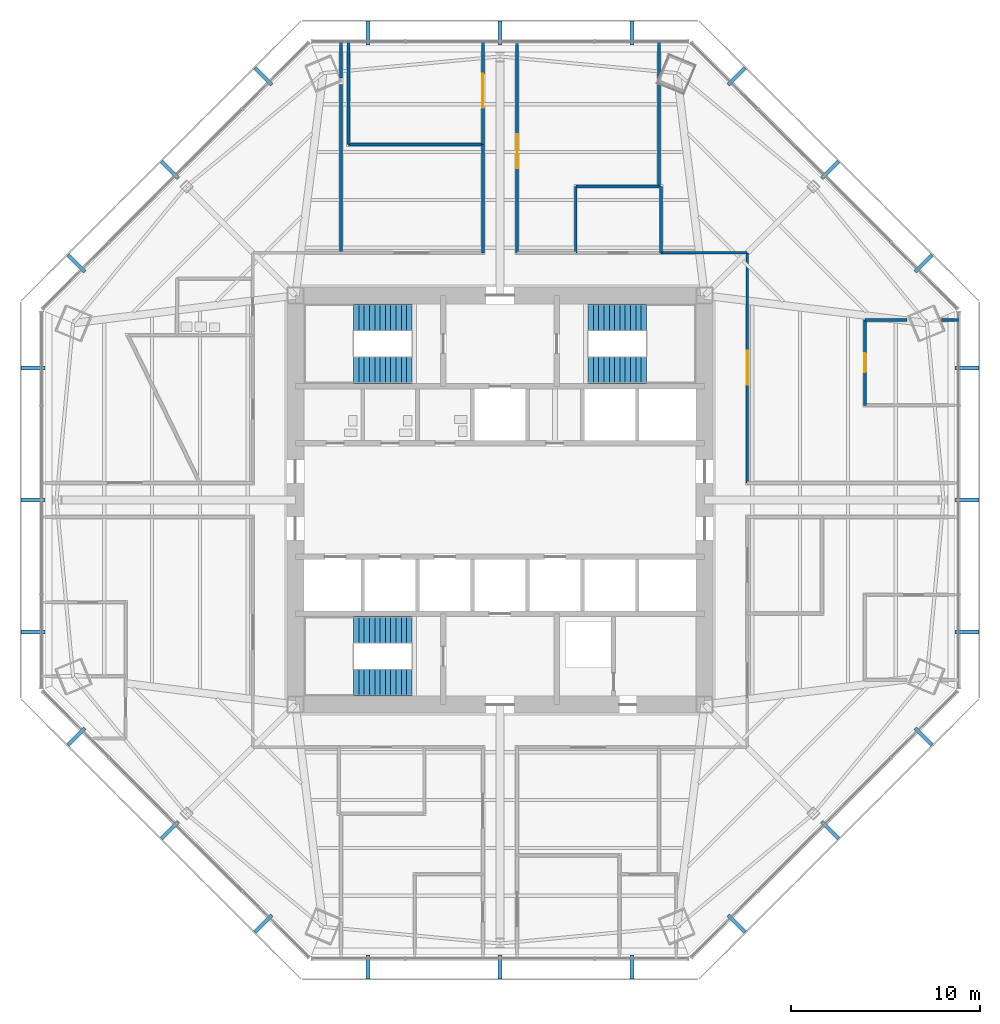
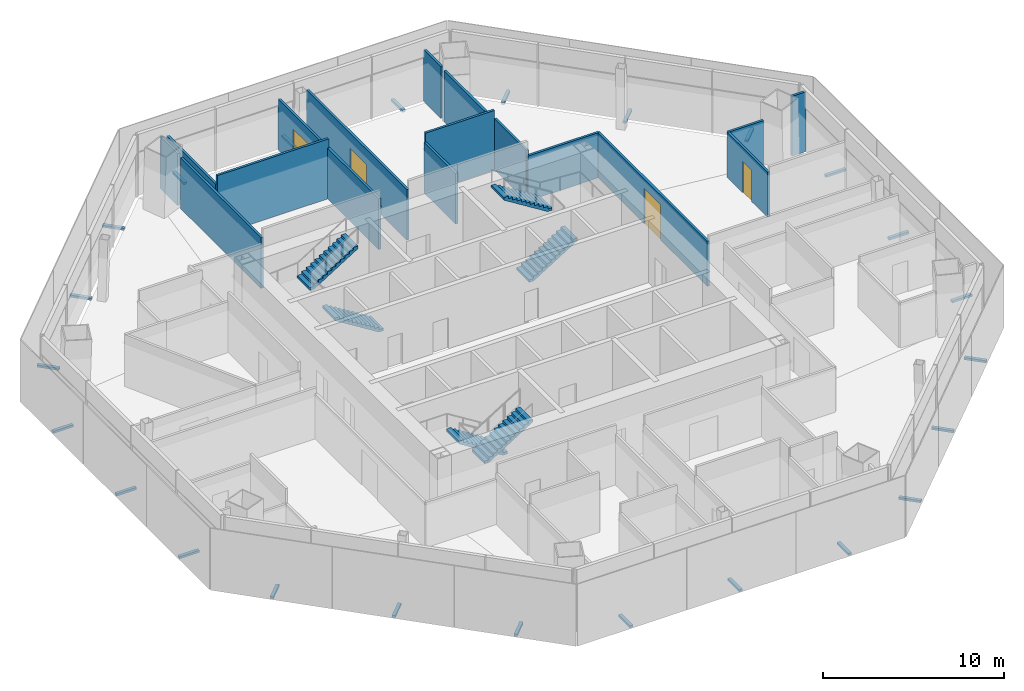
# One storey, part 11 of 14: 24 discrete accessories, 17 walls, 6 stair flights, 4 doors, 4 openings, 3 elements without a shape of their own.
"""IFC4 building model written with IfcOpenShell, lengths in metres."""

from ifc_helpers import new_model, si_unit, direction, frame, frame_2d, origin, origin_2d, place, context, subcontext, project, spatial, polyline, rectangle, outline, extrude, source, transform, mapped, material, layer, layer_set, type_object, type_shapes, element, fill, aggregate, save


model = new_model("IFC4")

# Units and contexts
model_context = context("Model", 3, precision=1e-05, world=origin(), true_north=direction((0.0, 1.0)))
body_context = subcontext(model_context, "Body", "Model", "MODEL_VIEW")
ifc_project = project(units=[si_unit("LENGTHUNIT", "METRE"), si_unit("AREAUNIT", "SQUARE_METRE"), si_unit("VOLUMEUNIT", "CUBIC_METRE"), si_unit("PLANEANGLEUNIT", "RADIAN"), si_unit("MASSUNIT", "GRAM", prefix="KILO")], contexts=[model_context])

# Site, building, storey
site_placement = place(None, origin())
site = spatial("IfcSite", under=ifc_project, at=site_placement, CompositionType="ELEMENT")
building_placement = place(site_placement, origin())
building = spatial("IfcBuilding", under=site, at=building_placement, Name="Mashrafa Tower", CompositionType="ELEMENT")
storey_placement = place(building_placement, frame((0.0, 0.0, 134.39990234375)))
storey = spatial("IfcBuildingStorey", under=building, at=storey_placement, Name="L30", CompositionType="ELEMENT", Elevation=134.39990234375)

# Wall, opening, door
ifc_material_1 = material(Name="Gypsum board on steel studs", Category="steel")
ifc_layer_1 = layer(ifc_material_1, 0.14990234375)
ifc_layer_set_1 = layer_set([ifc_layer_1], Name="Corridor partition 150 1 hr")
wall_type_1 = type_object("IfcWallType", Name="Corridor partition 150 1 hr", PredefinedType="PARTITIONING", material=ifc_layer_set_1)
wall_1_placement = place(storey_placement, frame((-0.89990234375, 24.19677734375, 0.0), z_axis=(0.0, 0.0, 1.0), x_axis=(0.0, -1.0, 0.0)))
wall_1 = element("IfcWall", 1, at=wall_1_placement, inside=storey, type_object=wall_type_1, Name="Corridor wall L30-004", PredefinedType="PARTITIONING", context=body_context, shape_type="SweptSolid", body=[
    extrude(rectangle(XDim=5.43505859375, YDim=0.14990234375, at=frame_2d((2.717529296875, 0.0))), origin(), (0.0, 0.0, 1.0), 3.42578125),
])
opening_1_placement = place(wall_1_placement, frame((1.699462890625, 0.0, 0.0)))
opening_1 = element("IfcOpeningElement", 2, at=opening_1_placement, cuts=wall_1, Name="Opening 30.003", PredefinedType="OPENING", context=body_context, shape_type="SweptSolid", body=[
    extrude(rectangle(XDim=1.800048828125, YDim=2.39990234375, at=frame_2d((0.89990234375, 1.199951171875))), frame((0.0, 0.0849609375, 0.0), z_axis=(0.0, -1.0, 0.0), x_axis=(1.0, 0.0, 0.0)), (0.0, 0.0, 1.0), 0.169921875),
])
ifc_material_2 = material(Name="Timber door", Category="wood")
door_type_1 = type_object("IfcDoorType", Name="Door pair 1800 x 2400", OperationType="DOUBLE_DOOR_SINGLE_SWING", PredefinedType="DOOR", material=ifc_material_2)
door_1_placement = place(opening_1_placement, frame((1.800048828125, 0.0, 0.0), z_axis=(0.0, 0.0, 1.0), x_axis=(-1.0, 0.0, 0.0)))
door_1 = element("IfcDoor", 3, at=door_1_placement, inside=storey, type_object=door_type_1, Name="Board Room 30-N door", OperationType="DOUBLE_DOOR_SINGLE_SWING", OverallHeight=2.39990234375, OverallWidth=1.800048828125, PredefinedType="DOOR", context=body_context, shape_type="SweptSolid", body=[
    extrude(rectangle(XDim=1.800048828125, YDim=2.39990234375, at=frame_2d((0.89990234375, 1.199951171875))), frame((0.0, 0.02490234375, 0.0), z_axis=(0.0, -1.0, 0.0), x_axis=(1.0, 0.0, 0.0)), (0.0, 0.0, 1.0), 0.050048828125),
])
fill(opening_1, door_1)

wall_2_placement = place(storey_placement, frame((13.050048828125, 0.89990234375, 0.0), z_axis=(0.0, 0.0, 1.0), x_axis=(0.0, 1.0, 0.0)))
wall_2 = element("IfcWall", 4, at=wall_2_placement, inside=storey, type_object=wall_type_1, Name="Corridor wall L30-012", PredefinedType="PARTITIONING", context=body_context, shape_type="SweptSolid", body=[
    extrude(rectangle(XDim=12.150146484375, YDim=0.14990234375, at=frame_2d((6.0751953125, 0.0))), origin(), (0.0, 0.0, 1.0), 3.0419921875),
])
opening_2_placement = place(wall_2_placement, frame((5.175048828125, 0.0, 0.0)))
opening_2 = element("IfcOpeningElement", 5, at=opening_2_placement, cuts=wall_2, Name="Opening 30.014", PredefinedType="OPENING", context=body_context, shape_type="SweptSolid", body=[
    extrude(rectangle(XDim=1.800048828125, YDim=2.39990234375, at=frame_2d((0.89990234375, 1.199951171875))), frame((0.0, 0.0849609375, 0.0), z_axis=(0.0, -1.0, 0.0), x_axis=(1.0, 0.0, 0.0)), (0.0, 0.0, 1.0), 0.169921875),
])
door_2_placement = place(opening_2_placement, frame((1.800048828125, 0.0, 0.0), z_axis=(0.0, 0.0, 1.0), x_axis=(-1.0, 0.0, 0.0)))
door_2 = element("IfcDoor", 6, at=door_2_placement, inside=storey, type_object=door_type_1, Name="Office Tenancy 30-N-NE1 door", OperationType="DOUBLE_DOOR_SINGLE_SWING", OverallHeight=2.39990234375, OverallWidth=1.800048828125, PredefinedType="DOOR", context=body_context, shape_type="SweptSolid", body=[
    extrude(rectangle(XDim=1.800048828125, YDim=2.39990234375, at=frame_2d((0.89990234375, 1.199951171875))), frame((0.0, 0.02490234375, 0.0), z_axis=(0.0, -1.0, 0.0), x_axis=(1.0, 0.0, 0.0)), (0.0, 0.0, 1.0), 0.050048828125),
])
fill(opening_2, door_2)

# Wall
wall_3_placement = place(storey_placement, frame((13.050048828125, 13.050048828125, 0.0), z_axis=(0.0, 0.0, 1.0), x_axis=(-1.0, 0.0, 0.0)))
element("IfcWall", 7, at=wall_3_placement, inside=storey, type_object=wall_type_1, Name="Corridor wall L30-013", PredefinedType="PARTITIONING", context=body_context, shape_type="SweptSolid", body=[
    extrude(rectangle(XDim=4.551025390625, YDim=0.14990234375, at=frame_2d((2.275390625, 0.0))), origin(), (0.0, 0.0, 1.0), 3.0419921875),
])

# Wall, opening, door
wall_4_placement = place(storey_placement, frame((0.89990234375, 13.050048828125, 0.0), z_axis=(0.0, 0.0, 1.0), x_axis=(0.0, 1.0, 0.0)))
wall_4 = element("IfcWall", 8, at=wall_4_placement, inside=storey, type_object=wall_type_1, Name="Corridor wall L30-015", PredefinedType="PARTITIONING", context=body_context, shape_type="SweptSolid", body=[
    extrude(rectangle(XDim=11.146728515625, YDim=0.14990234375, at=frame_2d((5.5732421875, 0.0))), origin(), (0.0, 0.0, 1.0), 3.42578125),
])
opening_3_placement = place(wall_4_placement, frame((4.456298828125, 0.0, 0.0)))
opening_3 = element("IfcOpeningElement", 9, at=opening_3_placement, cuts=wall_4, Name="Opening 30.015", PredefinedType="OPENING", context=body_context, shape_type="SweptSolid", body=[
    extrude(rectangle(XDim=1.800048828125, YDim=2.39990234375, at=frame_2d((0.89990234375, 1.199951171875))), frame((0.0, 0.0849609375, 0.0), z_axis=(0.0, -1.0, 0.0), x_axis=(1.0, 0.0, 0.0)), (0.0, 0.0, 1.0), 0.169921875),
])
door_3_placement = place(opening_3_placement, frame((1.800048828125, 0.0, 0.0), z_axis=(0.0, 0.0, 1.0), x_axis=(-1.0, 0.0, 0.0)))
door_3 = element("IfcDoor", 10, at=door_3_placement, inside=storey, type_object=door_type_1, Name="Office Tenancy 30-N-NE2 door", OperationType="DOUBLE_DOOR_SINGLE_SWING", OverallHeight=2.39990234375, OverallWidth=1.800048828125, PredefinedType="DOOR", context=body_context, shape_type="SweptSolid", body=[
    extrude(rectangle(XDim=1.800048828125, YDim=2.39990234375, at=frame_2d((0.89990234375, 1.199951171875))), frame((0.0, 0.02490234375, 0.0), z_axis=(0.0, -1.0, 0.0), x_axis=(1.0, 0.0, 0.0)), (0.0, 0.0, 1.0), 0.050048828125),
])
fill(opening_3, door_3)

# Walls
wall_5_placement = place(storey_placement, frame((-0.89990234375, 18.763671875, 0.0), z_axis=(0.0, 0.0, 1.0), x_axis=(0.0, -1.0, 0.0)))
element("IfcWall", 11, at=wall_5_placement, inside=storey, type_object=wall_type_1, Name="Corridor wall L30-019", PredefinedType="PARTITIONING", context=body_context, shape_type="SweptSolid", body=[
    extrude(rectangle(XDim=5.713623046875, YDim=0.14990234375, at=frame_2d((2.85693359375, 0.0))), origin(), (0.0, 0.0, 1.0), 3.42578125),
])
ifc_material_3 = material(Name="Gypsum board on steel studs", Category="steel")
ifc_layer_2 = layer(ifc_material_3, 0.14990234375)
ifc_layer_set_2 = layer_set([ifc_layer_2], Name="Partition 150")
wall_type_2 = type_object("IfcWallType", Name="Partition 150", PredefinedType="PARTITIONING", material=ifc_layer_set_2)
wall_6_placement = place(storey_placement, frame((-8.0, 24.194580078125, 0.0), z_axis=(0.0, 0.0, 1.0), x_axis=(0.0, -1.0, 0.0)))
element("IfcWall", 12, at=wall_6_placement, inside=storey, type_object=wall_type_2, Name="Partition wall L30-036", PredefinedType="PARTITIONING", context=body_context, shape_type="SweptSolid", body=[
    extrude(rectangle(XDim=5.431884765625, YDim=0.14990234375, at=frame_2d((2.7158203125, 0.0))), origin(), (0.0, 0.0, 1.0), 3.42578125),
])
wall_7_placement = place(storey_placement, frame((-8.0, 18.7626953125, 0.0), z_axis=(0.0, 0.0, 1.0), x_axis=(1.0, 0.0, 0.0)))
element("IfcWall", 13, at=wall_7_placement, inside=storey, type_object=wall_type_2, Name="Partition wall L30-037", PredefinedType="PARTITIONING", context=body_context, shape_type="SweptSolid", body=[
    extrude(rectangle(XDim=7.10009765625, YDim=0.14990234375, at=frame_2d((3.550048828125, 0.0))), origin(), (0.0, 0.0, 1.0), 4.03515625),
])
wall_8_placement = place(storey_placement, frame((8.5, 13.050048828125, 0.0), z_axis=(0.0, 0.0, 1.0), x_axis=(0.0, 1.0, 0.0)))
element("IfcWall", 14, at=wall_8_placement, inside=storey, type_object=wall_type_2, Name="Partition wall L30-038", PredefinedType="PARTITIONING", context=body_context, shape_type="SweptSolid", body=[
    extrude(rectangle(XDim=3.5, YDim=0.14990234375, at=frame_2d((1.75, 0.0))), origin(), (0.0, 0.0, 1.0), 3.42578125),
])
wall_9_placement = place(storey_placement, frame((8.40087890625, 16.550048828125, 0.0), z_axis=(0.0, 0.0, 1.0), x_axis=(-1.0, 0.0, 0.0)))
element("IfcWall", 15, at=wall_9_placement, inside=storey, type_object=wall_type_2, Name="Partition wall L30-039", PredefinedType="PARTITIONING", context=body_context, shape_type="SweptSolid", body=[
    extrude(rectangle(XDim=4.40087890625, YDim=0.14990234375, at=frame_2d((2.200439453125, 0.0))), origin(), (0.0, 0.0, 1.0), 4.03515625),
])
wall_10_placement = place(storey_placement, frame((4.0, 16.550048828125, 0.0), z_axis=(0.0, 0.0, 1.0), x_axis=(0.0, -1.0, 0.0)))
element("IfcWall", 16, at=wall_10_placement, inside=storey, type_object=wall_type_2, Name="Partition wall L30-040", PredefinedType="PARTITIONING", context=body_context, shape_type="SweptSolid", body=[
    extrude(rectangle(XDim=3.5, YDim=0.14990234375, at=frame_2d((1.75, 0.0))), origin(), (0.0, 0.0, 1.0), 3.42578125),
])
wall_11_placement = place(storey_placement, frame((24.194580078125, 9.5, 0.0), z_axis=(0.0, 0.0, 1.0), x_axis=(-1.0, 0.0, 0.0)))
element("IfcWall", 17, at=wall_11_placement, inside=storey, type_object=wall_type_2, Name="Partition wall L30-046", PredefinedType="PARTITIONING", context=body_context, shape_type="SweptSolid", body=[
    extrude(rectangle(XDim=0.89599609375, YDim=0.14990234375, at=frame_2d((0.447998046875, 0.0))), origin(), (0.0, 0.0, 1.0), 4.03515625),
])
wall_12_placement = place(storey_placement, frame((21.493896484375, 9.5, 0.0), z_axis=(0.0, 0.0, 1.0), x_axis=(-1.0, 0.0, 0.0)))
element("IfcWall", 18, at=wall_12_placement, inside=storey, type_object=wall_type_2, Name="Partition wall L30-047", PredefinedType="PARTITIONING", context=body_context, shape_type="SweptSolid", body=[
    extrude(rectangle(XDim=2.231201171875, YDim=0.14990234375, at=frame_2d((1.11572265625, 0.0))), origin(), (0.0, 0.0, 1.0), 3.0419921875),
])

# Wall, opening, door
wall_13_placement = place(storey_placement, frame((19.2626953125, 9.5, 0.0), z_axis=(0.0, 0.0, 1.0), x_axis=(0.0, -1.0, 0.0)))
wall_13 = element("IfcWall", 19, at=wall_13_placement, inside=storey, type_object=wall_type_2, Name="Partition wall L30-048", PredefinedType="PARTITIONING", context=body_context, shape_type="SweptSolid", body=[
    extrude(rectangle(XDim=4.5, YDim=0.14990234375, at=frame_2d((2.25, 0.0))), origin(), (0.0, 0.0, 1.0), 3.0419921875),
])
opening_4_placement = place(wall_13_placement, frame((1.75, 0.0, 0.0)))
opening_4 = element("IfcOpeningElement", 20, at=opening_4_placement, cuts=wall_13, Name="Opening 30.007", PredefinedType="OPENING", context=body_context, shape_type="SweptSolid", body=[
    extrude(rectangle(XDim=1.0, YDim=2.10009765625, at=frame_2d((0.5, 1.050048828125))), frame((0.0, 0.0849609375, 0.0), z_axis=(0.0, -1.0, 0.0), x_axis=(1.0, 0.0, 0.0)), (0.0, 0.0, 1.0), 0.169921875),
])
ifc_material_4 = material(Name="Timber door", Category="wood")
door_type_2 = type_object("IfcDoorType", Name="Door 1000 x 2100", OperationType="USERDEFINED", PredefinedType="DOOR", material=ifc_material_4)
door_4_placement = place(opening_4_placement, origin())
door_4 = element("IfcDoor", 21, at=door_4_placement, inside=storey, type_object=door_type_2, Name="Meeting Room 30-N-NE1 door", OperationType="SINGLE_SWING_LEFT", OverallHeight=2.10009765625, OverallWidth=1.0, PredefinedType="DOOR", context=body_context, shape_type="SweptSolid", body=[
    extrude(rectangle(XDim=1.0, YDim=2.10009765625, at=frame_2d((0.5, 1.050048828125))), frame((0.0, 0.02490234375, 0.0), z_axis=(0.0, -1.0, 0.0), x_axis=(1.0, 0.0, 0.0)), (0.0, 0.0, 1.0), 0.050048828125),
])
fill(opening_4, door_4)

# Walls
wall_14_placement = place(storey_placement, frame((8.39990234375, 24.194580078125, 0.0), z_axis=(0.0, 0.0, 1.0), x_axis=(0.0, -1.0, 0.0)))
element("IfcWall", 22, at=wall_14_placement, inside=storey, type_object=wall_type_2, Name="Partition wall L30-069", PredefinedType="PARTITIONING", context=body_context, shape_type="SweptSolid", body=[
    extrude(rectangle(XDim=1.90576171875, YDim=0.14990234375, at=frame_2d((0.952880859375, 0.0))), origin(), (0.0, 0.0, 1.0), 3.499267578125),
])
wall_15_placement = place(storey_placement, frame((8.39990234375, 21.949462890625, 0.0), z_axis=(0.0, 0.0, 1.0), x_axis=(0.0, -1.0, 0.0)))
element("IfcWall", 23, at=wall_15_placement, inside=storey, type_object=wall_type_2, Name="Partition wall L30-070", PredefinedType="PARTITIONING", context=body_context, shape_type="SweptSolid", body=[
    extrude(rectangle(XDim=5.3994140625, YDim=0.14990234375, at=frame_2d((2.69970703125, 0.0))), origin(), (0.0, 0.0, 1.0), 3.42578125),
])
wall_16_placement = place(storey_placement, frame((-8.39990234375, 13.050048828125, 0.0), z_axis=(0.0, 0.0, 1.0), x_axis=(0.0, 1.0, 0.0)))
element("IfcWall", 24, at=wall_16_placement, inside=storey, type_object=wall_type_2, Name="Partition wall L30-071", PredefinedType="PARTITIONING", context=body_context, shape_type="SweptSolid", body=[
    extrude(rectangle(XDim=8.8994140625, YDim=0.14990234375, at=frame_2d((4.44970703125, 0.0))), origin(), (0.0, 0.0, 1.0), 3.42578125),
])
wall_17_placement = place(storey_placement, frame((-8.39990234375, 22.288818359375, 0.0), z_axis=(0.0, 0.0, 1.0), x_axis=(0.0, 1.0, 0.0)))
element("IfcWall", 25, at=wall_17_placement, inside=storey, type_object=wall_type_2, Name="Partition wall L30-072", PredefinedType="PARTITIONING", context=body_context, shape_type="SweptSolid", body=[
    extrude(rectangle(XDim=1.90576171875, YDim=0.14990234375, at=frame_2d((0.952880859375, 0.0))), origin(), (0.0, 0.0, 1.0), 3.499267578125),
])

# Stair, stair flights
ifc_material_5 = material(Name="Exit stair 1400")
stair_type = type_object("IfcStairType", Name="Exit stair 1400", PredefinedType="HALF_TURN_STAIR", material=ifc_material_5)
stair_1_placement = place(storey_placement, origin())
stair_1 = element("IfcStair", 26, at=stair_1_placement, inside=storey, type_object=stair_type, Name="Stair S1 L30", PredefinedType="HALF_TURN_STAIR")
ifc_material_6 = material(Name="Concrete C32/40", Category="concrete")
stair_flight_type = type_object("IfcStairFlightType", Name="Stair flight 1400", PredefinedType="STRAIGHT", material=ifc_material_6)
stair_flight_1_placement = place(storey_placement, frame((-4.64990234375, 6.85009765625, 0.0), z_axis=(0.0, 0.0, 1.0), x_axis=(-1.0, 0.0, 0.0)))
stair_flight_1 = element("IfcStairFlight", 27, at=stair_flight_1_placement, type_object=stair_flight_type, Name="S1 flight 1", NumberOfRisers=12, NumberOfTreads=11, PredefinedType="STRAIGHT", RiserHeight=0.175, TreadLength=0.28, context=body_context, shape_type="SweptSolid", body=[
    extrude(outline(polyline([(0.0, 0.0), (0.0, 0.175048828125), (0.280029296875, 0.175048828125), (0.280029296875, 0.35009765625), (0.56005859375, 0.35009765625), (0.56005859375, 0.52490234375), (0.840087890625, 0.52490234375), (0.840087890625, 0.699951171875), (1.1201171875, 0.699951171875), (1.1201171875, 0.875), (1.39990234375, 0.875), (1.39990234375, 1.050048828125), (1.679931640625, 1.050048828125), (1.679931640625, 1.22509765625), (1.9599609375, 1.22509765625), (1.9599609375, 1.39990234375), (2.239990234375, 1.39990234375), (2.239990234375, 1.574951171875), (2.52001953125, 1.574951171875), (2.52001953125, 1.75), (2.800048828125, 1.75), (2.800048828125, 1.925048828125), (3.080078125, 1.925048828125), (3.080078125, 2.10009765625), (3.080078125, 1.748291015625), (0.28271484375, 0.0), (0.0, 0.0)])), frame((0.0, 0.699951171875, 0.0), z_axis=(0.0, -1.0, 0.0), x_axis=(1.0, 0.0, 0.0)), (0.0, 0.0, 1.0), 1.39990234375),
])
stair_flight_2_placement = place(storey_placement, frame((-7.72998046875, 9.64990234375, 2.10009765625), z_axis=(0.0, 0.0, 1.0), x_axis=(1.0, 0.0, 0.0)))
stair_flight_2 = element("IfcStairFlight", 28, at=stair_flight_2_placement, type_object=stair_flight_type, Name="S1 flight 2", NumberOfRisers=12, NumberOfTreads=11, PredefinedType="STRAIGHT", RiserHeight=0.175, TreadLength=0.28, context=body_context, shape_type="SweptSolid", body=[
    extrude(outline(polyline([(0.0, 0.0), (0.0, 0.175048828125), (0.280029296875, 0.175048828125), (0.280029296875, 0.35009765625), (0.56005859375, 0.35009765625), (0.56005859375, 0.52490234375), (0.840087890625, 0.52490234375), (0.840087890625, 0.699951171875), (1.1201171875, 0.699951171875), (1.1201171875, 0.875), (1.39990234375, 0.875), (1.39990234375, 1.050048828125), (1.679931640625, 1.050048828125), (1.679931640625, 1.22509765625), (1.9599609375, 1.22509765625), (1.9599609375, 1.39990234375), (2.239990234375, 1.39990234375), (2.239990234375, 1.574951171875), (2.52001953125, 1.574951171875), (2.52001953125, 1.75), (2.800048828125, 1.75), (2.800048828125, 1.925048828125), (3.080078125, 1.925048828125), (3.080078125, 2.10009765625), (3.080078125, 1.748291015625), (0.28271484375, 0.0), (0.0, 0.0)])), frame((0.0, 0.699951171875, 0.0), z_axis=(0.0, -1.0, 0.0), x_axis=(1.0, 0.0, 0.0)), (0.0, 0.0, 1.0), 1.39990234375),
])
aggregate(stair_1, [stair_flight_1, stair_flight_2])

stair_2_placement = place(storey_placement, origin())
stair_2 = element("IfcStair", 29, at=stair_2_placement, inside=storey, type_object=stair_type, Name="Stair S2 L30", PredefinedType="HALF_TURN_STAIR")
stair_flight_3_placement = place(storey_placement, frame((4.64990234375, 6.85009765625, 0.0), z_axis=(0.0, 0.0, 1.0), x_axis=(1.0, 0.0, 0.0)))
stair_flight_3 = element("IfcStairFlight", 30, at=stair_flight_3_placement, type_object=stair_flight_type, Name="S2 flight 1", NumberOfRisers=12, NumberOfTreads=11, PredefinedType="STRAIGHT", RiserHeight=0.175, TreadLength=0.28, context=body_context, shape_type="SweptSolid", body=[
    extrude(outline(polyline([(0.0, 0.0), (0.0, 0.175048828125), (0.280029296875, 0.175048828125), (0.280029296875, 0.35009765625), (0.56005859375, 0.35009765625), (0.56005859375, 0.52490234375), (0.840087890625, 0.52490234375), (0.840087890625, 0.699951171875), (1.1201171875, 0.699951171875), (1.1201171875, 0.875), (1.39990234375, 0.875), (1.39990234375, 1.050048828125), (1.679931640625, 1.050048828125), (1.679931640625, 1.22509765625), (1.9599609375, 1.22509765625), (1.9599609375, 1.39990234375), (2.239990234375, 1.39990234375), (2.239990234375, 1.574951171875), (2.52001953125, 1.574951171875), (2.52001953125, 1.75), (2.800048828125, 1.75), (2.800048828125, 1.925048828125), (3.080078125, 1.925048828125), (3.080078125, 2.10009765625), (3.080078125, 1.748291015625), (0.28271484375, 0.0), (0.0, 0.0)])), frame((0.0, 0.699951171875, 0.0), z_axis=(0.0, -1.0, 0.0), x_axis=(1.0, 0.0, 0.0)), (0.0, 0.0, 1.0), 1.39990234375),
])
stair_flight_4_placement = place(storey_placement, frame((7.72998046875, 9.64990234375, 2.10009765625), z_axis=(0.0, 0.0, 1.0), x_axis=(-1.0, 0.0, 0.0)))
stair_flight_4 = element("IfcStairFlight", 31, at=stair_flight_4_placement, type_object=stair_flight_type, Name="S2 flight 2", NumberOfRisers=12, NumberOfTreads=11, PredefinedType="STRAIGHT", RiserHeight=0.175, TreadLength=0.28, context=body_context, shape_type="SweptSolid", body=[
    extrude(outline(polyline([(0.0, 0.0), (0.0, 0.175048828125), (0.280029296875, 0.175048828125), (0.280029296875, 0.35009765625), (0.56005859375, 0.35009765625), (0.56005859375, 0.52490234375), (0.840087890625, 0.52490234375), (0.840087890625, 0.699951171875), (1.1201171875, 0.699951171875), (1.1201171875, 0.875), (1.39990234375, 0.875), (1.39990234375, 1.050048828125), (1.679931640625, 1.050048828125), (1.679931640625, 1.22509765625), (1.9599609375, 1.22509765625), (1.9599609375, 1.39990234375), (2.239990234375, 1.39990234375), (2.239990234375, 1.574951171875), (2.52001953125, 1.574951171875), (2.52001953125, 1.75), (2.800048828125, 1.75), (2.800048828125, 1.925048828125), (3.080078125, 1.925048828125), (3.080078125, 2.10009765625), (3.080078125, 1.748291015625), (0.28271484375, 0.0), (0.0, 0.0)])), frame((0.0, 0.699951171875, 0.0), z_axis=(0.0, -1.0, 0.0), x_axis=(1.0, 0.0, 0.0)), (0.0, 0.0, 1.0), 1.39990234375),
])
aggregate(stair_2, [stair_flight_3, stair_flight_4])

stair_3_placement = place(storey_placement, origin())
stair_3 = element("IfcStair", 32, at=stair_3_placement, inside=storey, type_object=stair_type, Name="Stair S3 L30", PredefinedType="HALF_TURN_STAIR")
stair_flight_5_placement = place(storey_placement, frame((-4.64990234375, -6.85009765625, 0.0), z_axis=(0.0, 0.0, 1.0), x_axis=(-1.0, 0.0, 0.0)))
stair_flight_5 = element("IfcStairFlight", 33, at=stair_flight_5_placement, type_object=stair_flight_type, Name="S3 flight 1", NumberOfRisers=12, NumberOfTreads=11, PredefinedType="STRAIGHT", RiserHeight=0.175, TreadLength=0.28, context=body_context, shape_type="SweptSolid", body=[
    extrude(outline(polyline([(0.0, 0.0), (0.0, 0.175048828125), (0.280029296875, 0.175048828125), (0.280029296875, 0.35009765625), (0.56005859375, 0.35009765625), (0.56005859375, 0.52490234375), (0.840087890625, 0.52490234375), (0.840087890625, 0.699951171875), (1.1201171875, 0.699951171875), (1.1201171875, 0.875), (1.39990234375, 0.875), (1.39990234375, 1.050048828125), (1.679931640625, 1.050048828125), (1.679931640625, 1.22509765625), (1.9599609375, 1.22509765625), (1.9599609375, 1.39990234375), (2.239990234375, 1.39990234375), (2.239990234375, 1.574951171875), (2.52001953125, 1.574951171875), (2.52001953125, 1.75), (2.800048828125, 1.75), (2.800048828125, 1.925048828125), (3.080078125, 1.925048828125), (3.080078125, 2.10009765625), (3.080078125, 1.748291015625), (0.28271484375, 0.0), (0.0, 0.0)])), frame((0.0, 0.699951171875, 0.0), z_axis=(0.0, -1.0, 0.0), x_axis=(1.0, 0.0, 0.0)), (0.0, 0.0, 1.0), 1.39990234375),
])
stair_flight_6_placement = place(storey_placement, frame((-7.72998046875, -9.64990234375, 2.10009765625), z_axis=(0.0, 0.0, 1.0), x_axis=(1.0, 0.0, 0.0)))
stair_flight_6 = element("IfcStairFlight", 34, at=stair_flight_6_placement, type_object=stair_flight_type, Name="S3 flight 2", NumberOfRisers=12, NumberOfTreads=11, PredefinedType="STRAIGHT", RiserHeight=0.175, TreadLength=0.28, context=body_context, shape_type="SweptSolid", body=[
    extrude(outline(polyline([(0.0, 0.0), (0.0, 0.175048828125), (0.280029296875, 0.175048828125), (0.280029296875, 0.35009765625), (0.56005859375, 0.35009765625), (0.56005859375, 0.52490234375), (0.840087890625, 0.52490234375), (0.840087890625, 0.699951171875), (1.1201171875, 0.699951171875), (1.1201171875, 0.875), (1.39990234375, 0.875), (1.39990234375, 1.050048828125), (1.679931640625, 1.050048828125), (1.679931640625, 1.22509765625), (1.9599609375, 1.22509765625), (1.9599609375, 1.39990234375), (2.239990234375, 1.39990234375), (2.239990234375, 1.574951171875), (2.52001953125, 1.574951171875), (2.52001953125, 1.75), (2.800048828125, 1.75), (2.800048828125, 1.925048828125), (3.080078125, 1.925048828125), (3.080078125, 2.10009765625), (3.080078125, 1.748291015625), (0.28271484375, 0.0), (0.0, 0.0)])), frame((0.0, 0.699951171875, 0.0), z_axis=(0.0, -1.0, 0.0), x_axis=(1.0, 0.0, 0.0)), (0.0, 0.0, 1.0), 1.39990234375),
])
aggregate(stair_3, [stair_flight_5, stair_flight_6])

# Discrete accessories
ifc_material_7 = material(Name="Stainless steel screen bracket", Category="steel")
discrete_accessory_type = type_object("IfcDiscreteAccessoryType", Name="Screen support bracket 200 x 150", PredefinedType="BRACKET", material=ifc_material_7)
shared_shape = source(origin(), body_context, "Body", "SweptSolid", [
    extrude(rectangle(XDim=0.199951171875, YDim=1.27001953125, at=origin_2d()), origin(), (0.0, 0.0, 1.0), 0.14990234375),
])
type_shapes(discrete_accessory_type, [shared_shape])
for number, where, z_axis, x_axis, name in (
    (35, (24.647705078125, -6.974853515625, -0.14990234375), (0.0, 0.0, 1.0), (0.0, 1.0, 0.0), "Screen support bracket L30 east 1"),
    (36, (24.647705078125, 0.0, -0.14990234375), (0.0, 0.0, 1.0), (0.0, 1.0, 0.0), "Screen support bracket L30 east 2"),
    (37, (24.647705078125, 6.974853515625, -0.14990234375), (0.0, 0.0, 1.0), (0.0, 1.0, 0.0), "Screen support bracket L30 east 3"),
    (38, (22.360595703125, 12.49658203125, -0.14990234375), (0.0, 0.0, 1.0), (-0.707106781187, 0.707106781187, 0.0), "Screen support bracket L30 north-east 1"),
    (39, (17.428466796875, 17.428466796875, -0.14990234375), (0.0, 0.0, 1.0), (-0.707106781187, 0.707106781187, 0.0), "Screen support bracket L30 north-east 2"),
    (40, (12.49658203125, 22.360595703125, -0.14990234375), (0.0, 0.0, 1.0), (-0.707106781187, 0.707106781187, 0.0), "Screen support bracket L30 north-east 3"),
    (41, (6.974853515625, 24.647705078125, -0.14990234375), (0.0, 0.0, 1.0), (-1.0, 0.0, 0.0), "Screen support bracket L30 north 1"),
    (42, (0.0, 24.647705078125, -0.14990234375), (0.0, 0.0, 1.0), (-1.0, 0.0, 0.0), "Screen support bracket L30 north 2"),
    (43, (-6.974853515625, 24.647705078125, -0.14990234375), (0.0, 0.0, 1.0), (-1.0, 0.0, 0.0), "Screen support bracket L30 north 3"),
    (44, (-12.49658203125, 22.360595703125, -0.14990234375), (0.0, 0.0, 1.0), (-0.707106781187, -0.707106781187, 0.0), "Screen support bracket L30 north-west 1"),
    (45, (-17.428466796875, 17.428466796875, -0.14990234375), (0.0, 0.0, 1.0), (-0.707106781187, -0.707106781187, 0.0), "Screen support bracket L30 north-west 2"),
    (46, (-22.360595703125, 12.49658203125, -0.14990234375), (0.0, 0.0, 1.0), (-0.707106781187, -0.707106781187, 0.0), "Screen support bracket L30 north-west 3"),
    (47, (-24.647705078125, 6.974853515625, -0.14990234375), (0.0, 0.0, 1.0), (0.0, -1.0, 0.0), "Screen support bracket L30 west 1"),
    (48, (-24.647705078125, 0.0, -0.14990234375), (0.0, 0.0, 1.0), (0.0, -1.0, 0.0), "Screen support bracket L30 west 2"),
    (49, (-24.647705078125, -6.974853515625, -0.14990234375), (0.0, 0.0, 1.0), (0.0, -1.0, 0.0), "Screen support bracket L30 west 3"),
    (50, (-22.360595703125, -12.49658203125, -0.14990234375), (0.0, 0.0, 1.0), (0.707106781187, -0.707106781187, 0.0), "Screen support bracket L30 south-west 1"),
    (51, (-17.428466796875, -17.428466796875, -0.14990234375), (0.0, 0.0, 1.0), (0.707106781187, -0.707106781187, 0.0), "Screen support bracket L30 south-west 2"),
    (52, (-12.49658203125, -22.360595703125, -0.14990234375), (0.0, 0.0, 1.0), (0.707106781187, -0.707106781187, 0.0), "Screen support bracket L30 south-west 3"),
    (53, (-6.974853515625, -24.647705078125, -0.14990234375), (0.0, 0.0, 1.0), (1.0, 0.0, 0.0), "Screen support bracket L30 south 1"),
    (54, (0.0, -24.647705078125, -0.14990234375), (0.0, 0.0, 1.0), (1.0, 0.0, 0.0), "Screen support bracket L30 south 2"),
    (55, (6.974853515625, -24.647705078125, -0.14990234375), (0.0, 0.0, 1.0), (1.0, 0.0, 0.0), "Screen support bracket L30 south 3"),
    (56, (12.49658203125, -22.360595703125, -0.14990234375), (0.0, 0.0, 1.0), (0.707106781187, 0.707106781187, 0.0), "Screen support bracket L30 south-east 1"),
    (57, (17.428466796875, -17.428466796875, -0.14990234375), (0.0, 0.0, 1.0), (0.707106781187, 0.707106781187, 0.0), "Screen support bracket L30 south-east 2"),
    (58, (22.360595703125, -12.49658203125, -0.14990234375), (0.0, 0.0, 1.0), (0.707106781187, 0.707106781187, 0.0), "Screen support bracket L30 south-east 3"),
):
    element("IfcDiscreteAccessory", number, at=place(storey_placement, frame(where, z_axis=z_axis, x_axis=x_axis)), inside=storey, type_object=discrete_accessory_type, Name=name, PredefinedType="BRACKET", context=body_context, shape_type="MappedRepresentation", body=[
        mapped(shared_shape, transform((0.0, 0.0, 0.0))),
    ])

save(model, "model.ifc")
